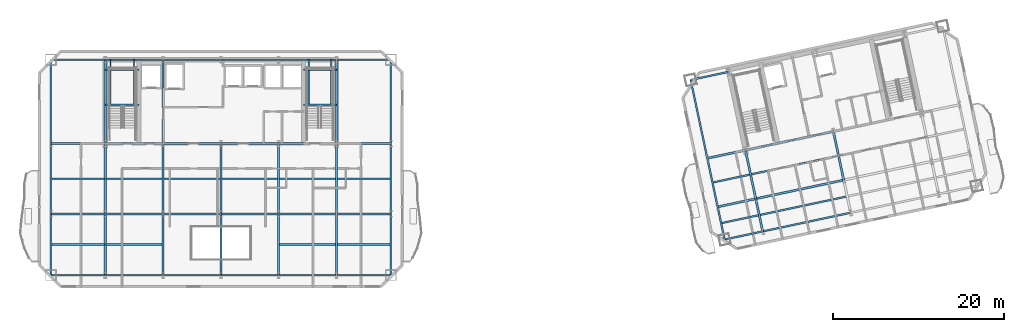
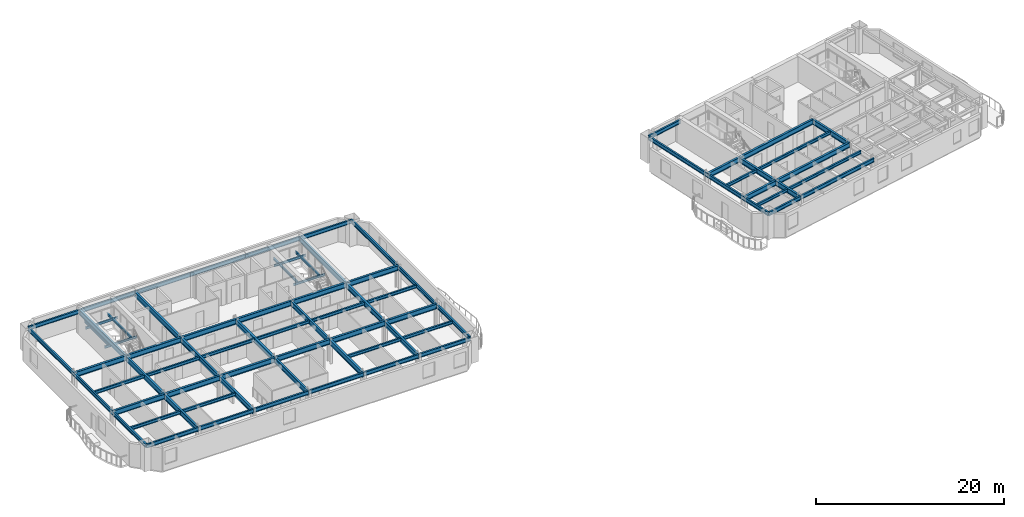
# One storey, part 3 of 13: 78 beams.
"""IFC4 building model written with IfcOpenShell, lengths in metres."""

from ifc_helpers import new_model, si_unit, direction, frame, origin, origin_2d, place, context, subcontext, project, spatial, i_section, extrude, material, material_profile, profile_set, type_object, element, save


model = new_model("IFC4")

# Units and contexts
model_context = context("Model", 3, precision=1e-05, world=origin(), true_north=direction((0.0, 1.0)))
body_context = subcontext(model_context, "Body", "Model", "MODEL_VIEW")
ifc_project = project(units=[si_unit("LENGTHUNIT", "METRE"), si_unit("AREAUNIT", "SQUARE_METRE"), si_unit("VOLUMEUNIT", "CUBIC_METRE"), si_unit("PLANEANGLEUNIT", "RADIAN"), si_unit("MASSUNIT", "GRAM", prefix="KILO")], contexts=[model_context])

# Site, building, storey
site_placement = place(None, origin())
site = spatial("IfcSite", under=ifc_project, at=site_placement, CompositionType="ELEMENT")
building_placement = place(site_placement, origin())
building = spatial("IfcBuilding", under=site, at=building_placement, Name="Haevon Station Towers", CompositionType="ELEMENT")
storey_placement = place(building_placement, frame((0.0, 0.0, 149.39990234375)))
storey = spatial("IfcBuildingStorey", under=building, at=storey_placement, Name="L40", CompositionType="ELEMENT", Elevation=149.39990234375)

# Beams
ifc_material = material(Name="Steel S355", Category="steel")
ifc_material_profile_1 = material_profile(ifc_material, i_section(OverallWidth=0.25, OverallDepth=0.64990234375, WebThickness=0.012939453125, FlangeThickness=0.02197265625, at=origin_2d()), Name="H-650x250x13x22")
ifc_profile_set_1 = profile_set([ifc_material_profile_1], Name="Steel S355")
beam_type_1 = type_object("IfcBeamType", Name="BM-G650", PredefinedType="BEAM", material=ifc_profile_set_1)
beam_1_placement = place(storey_placement, frame((17.64990234375, 30.0, 2.72509765625), z_axis=(1.0, 0.0, 0.0), x_axis=(0.0, 1.0, 0.0)))
element("IfcBeam", 1, at=beam_1_placement, inside=storey, type_object=beam_type_1, Name="BM-T1U-L40-02-01", PredefinedType="BEAM", context=body_context, shape_type="SweptSolid", body=[
    extrude(i_section(OverallWidth=0.25, OverallDepth=0.64990234375, WebThickness=0.012939453125, FlangeThickness=0.02197265625, at=origin_2d()), origin(), (0.0, 0.0, 1.0), 6.35009765625),
])
for number, where, z_axis, x_axis, name in (
    (2, (24.0, 30.0, 2.72509765625), (1.0, 0.0, 0.0), (0.0, 1.0, 0.0), "BM-T1U-L40-02-02"),
    (3, (30.75, 30.0, 2.72509765625), (1.0, 0.0, 0.0), (0.0, 1.0, 0.0), "BM-T1U-L40-02-03"),
    (4, (37.5, 30.0, 2.72509765625), (1.0, 0.0, 0.0), (0.0, 1.0, 0.0), "BM-T1U-L40-02-04"),
    (5, (44.25, 30.0, 2.72509765625), (1.0, 0.0, 0.0), (0.0, 1.0, 0.0), "BM-T1U-L40-02-05"),
):
    element("IfcBeam", number, at=place(storey_placement, frame(where, z_axis=z_axis, x_axis=x_axis)), inside=storey, type_object=beam_type_1, Name=name, PredefinedType="BEAM", context=body_context, shape_type="SweptSolid", body=[
        extrude(i_section(OverallWidth=0.25, OverallDepth=0.64990234375, WebThickness=0.012939453125, FlangeThickness=0.02197265625, at=origin_2d()), origin(), (0.0, 0.0, 1.0), 6.75),
    ])
for number, where, z_axis, x_axis, name in (
    (6, (51.0, 30.0, 2.72509765625), (1.0, 0.0, 0.0), (0.0, 1.0, 0.0), "BM-T1U-L40-02-06"),
    (7, (17.64990234375, 38.199951171875, 2.72509765625), (1.0, 0.0, 0.0), (0.0, 1.0, 0.0), "BM-T1U-L40-03-01"),
):
    element("IfcBeam", number, at=place(storey_placement, frame(where, z_axis=z_axis, x_axis=x_axis)), inside=storey, type_object=beam_type_1, Name=name, PredefinedType="BEAM", context=body_context, shape_type="SweptSolid", body=[
        extrude(i_section(OverallWidth=0.25, OverallDepth=0.64990234375, WebThickness=0.012939453125, FlangeThickness=0.02197265625, at=origin_2d()), origin(), (0.0, 0.0, 1.0), 6.35009765625),
    ])
for number, where, z_axis, x_axis, name in (
    (8, (24.0, 38.199951171875, 2.72509765625), (1.0, 0.0, 0.0), (0.0, 1.0, 0.0), "BM-T1U-L40-03-02"),
    (9, (30.75, 38.199951171875, 2.72509765625), (1.0, 0.0, 0.0), (0.0, 1.0, 0.0), "BM-T1U-L40-03-03"),
    (10, (37.5, 38.199951171875, 2.72509765625), (1.0, 0.0, 0.0), (0.0, 1.0, 0.0), "BM-T1U-L40-03-04"),
    (11, (44.25, 38.199951171875, 2.72509765625), (1.0, 0.0, 0.0), (0.0, 1.0, 0.0), "BM-T1U-L40-03-05"),
):
    element("IfcBeam", number, at=place(storey_placement, frame(where, z_axis=z_axis, x_axis=x_axis)), inside=storey, type_object=beam_type_1, Name=name, PredefinedType="BEAM", context=body_context, shape_type="SweptSolid", body=[
        extrude(i_section(OverallWidth=0.25, OverallDepth=0.64990234375, WebThickness=0.012939453125, FlangeThickness=0.02197265625, at=origin_2d()), origin(), (0.0, 0.0, 1.0), 6.75),
    ])
beam_2_placement = place(storey_placement, frame((51.0, 38.199951171875, 2.72509765625), z_axis=(1.0, 0.0, 0.0), x_axis=(0.0, 1.0, 0.0)))
element("IfcBeam", 12, at=beam_2_placement, inside=storey, type_object=beam_type_1, Name="BM-T1U-L40-03-06", PredefinedType="BEAM", context=body_context, shape_type="SweptSolid", body=[
    extrude(i_section(OverallWidth=0.25, OverallDepth=0.64990234375, WebThickness=0.012939453125, FlangeThickness=0.02197265625, at=origin_2d()), origin(), (0.0, 0.0, 1.0), 6.35009765625),
])
beam_3_placement = place(storey_placement, frame((24.0, 22.85009765625, 2.72509765625), z_axis=(0.0, 1.0, 0.0), x_axis=(-1.0, 0.0, 0.0)))
element("IfcBeam", 13, at=beam_3_placement, inside=storey, type_object=beam_type_1, Name="BM-T1V-L40-02-01", PredefinedType="BEAM", context=body_context, shape_type="SweptSolid", body=[
    extrude(i_section(OverallWidth=0.25, OverallDepth=0.64990234375, WebThickness=0.012939453125, FlangeThickness=0.02197265625, at=origin_2d()), origin(), (0.0, 0.0, 1.0), 7.14990234375),
])
beam_4_placement = place(storey_placement, frame((24.0, 30.0, 2.72509765625), z_axis=(0.0, 1.0, 0.0), x_axis=(-1.0, 0.0, 0.0)))
element("IfcBeam", 14, at=beam_4_placement, inside=storey, type_object=beam_type_1, Name="BM-T1V-L40-02-02", PredefinedType="BEAM", context=body_context, shape_type="SweptSolid", body=[
    extrude(i_section(OverallWidth=0.25, OverallDepth=0.64990234375, WebThickness=0.012939453125, FlangeThickness=0.02197265625, at=origin_2d()), origin(), (0.0, 0.0, 1.0), 8.199951171875),
])
beam_5_placement = place(storey_placement, frame((24.0, 38.199951171875, 2.72509765625), z_axis=(0.0, 1.0, 0.0), x_axis=(-1.0, 0.0, 0.0)))
element("IfcBeam", 15, at=beam_5_placement, inside=storey, type_object=beam_type_1, Name="BM-T1V-L40-02-03", PredefinedType="BEAM", context=body_context, shape_type="SweptSolid", body=[
    extrude(i_section(OverallWidth=0.25, OverallDepth=0.64990234375, WebThickness=0.012939453125, FlangeThickness=0.02197265625, at=origin_2d()), origin(), (0.0, 0.0, 1.0), 9.800048828125),
])
beam_6_placement = place(storey_placement, frame((30.75, 22.85009765625, 2.72509765625), z_axis=(0.0, 1.0, 0.0), x_axis=(-1.0, 0.0, 0.0)))
element("IfcBeam", 16, at=beam_6_placement, inside=storey, type_object=beam_type_1, Name="BM-T1V-L40-03-01", PredefinedType="BEAM", context=body_context, shape_type="SweptSolid", body=[
    extrude(i_section(OverallWidth=0.25, OverallDepth=0.64990234375, WebThickness=0.012939453125, FlangeThickness=0.02197265625, at=origin_2d()), origin(), (0.0, 0.0, 1.0), 7.14990234375),
])
beam_7_placement = place(storey_placement, frame((30.75, 30.0, 2.72509765625), z_axis=(0.0, 1.0, 0.0), x_axis=(-1.0, 0.0, 0.0)))
element("IfcBeam", 17, at=beam_7_placement, inside=storey, type_object=beam_type_1, Name="BM-T1V-L40-03-02", PredefinedType="BEAM", context=body_context, shape_type="SweptSolid", body=[
    extrude(i_section(OverallWidth=0.25, OverallDepth=0.64990234375, WebThickness=0.012939453125, FlangeThickness=0.02197265625, at=origin_2d()), origin(), (0.0, 0.0, 1.0), 8.199951171875),
])
beam_8_placement = place(storey_placement, frame((30.75, 38.199951171875, 2.72509765625), z_axis=(0.0, 1.0, 0.0), x_axis=(-1.0, 0.0, 0.0)))
element("IfcBeam", 18, at=beam_8_placement, inside=storey, type_object=beam_type_1, Name="BM-T1V-L40-03-03", PredefinedType="BEAM", context=body_context, shape_type="SweptSolid", body=[
    extrude(i_section(OverallWidth=0.25, OverallDepth=0.64990234375, WebThickness=0.012939453125, FlangeThickness=0.02197265625, at=origin_2d()), origin(), (0.0, 0.0, 1.0), 9.800048828125),
])
beam_9_placement = place(storey_placement, frame((37.5, 22.85009765625, 2.72509765625), z_axis=(0.0, 1.0, 0.0), x_axis=(-1.0, 0.0, 0.0)))
element("IfcBeam", 19, at=beam_9_placement, inside=storey, type_object=beam_type_1, Name="BM-T1V-L40-04-01", PredefinedType="BEAM", context=body_context, shape_type="SweptSolid", body=[
    extrude(i_section(OverallWidth=0.25, OverallDepth=0.64990234375, WebThickness=0.012939453125, FlangeThickness=0.02197265625, at=origin_2d()), origin(), (0.0, 0.0, 1.0), 7.14990234375),
])
beam_10_placement = place(storey_placement, frame((37.5, 30.0, 2.72509765625), z_axis=(0.0, 1.0, 0.0), x_axis=(-1.0, 0.0, 0.0)))
element("IfcBeam", 20, at=beam_10_placement, inside=storey, type_object=beam_type_1, Name="BM-T1V-L40-04-02", PredefinedType="BEAM", context=body_context, shape_type="SweptSolid", body=[
    extrude(i_section(OverallWidth=0.25, OverallDepth=0.64990234375, WebThickness=0.012939453125, FlangeThickness=0.02197265625, at=origin_2d()), origin(), (0.0, 0.0, 1.0), 8.199951171875),
])
beam_11_placement = place(storey_placement, frame((44.25, 22.85009765625, 2.72509765625), z_axis=(0.0, 1.0, 0.0), x_axis=(-1.0, 0.0, 0.0)))
element("IfcBeam", 21, at=beam_11_placement, inside=storey, type_object=beam_type_1, Name="BM-T1V-L40-05-01", PredefinedType="BEAM", context=body_context, shape_type="SweptSolid", body=[
    extrude(i_section(OverallWidth=0.25, OverallDepth=0.64990234375, WebThickness=0.012939453125, FlangeThickness=0.02197265625, at=origin_2d()), origin(), (0.0, 0.0, 1.0), 7.14990234375),
])
beam_12_placement = place(storey_placement, frame((44.25, 30.0, 2.72509765625), z_axis=(0.0, 1.0, 0.0), x_axis=(-1.0, 0.0, 0.0)))
element("IfcBeam", 22, at=beam_12_placement, inside=storey, type_object=beam_type_1, Name="BM-T1V-L40-05-02", PredefinedType="BEAM", context=body_context, shape_type="SweptSolid", body=[
    extrude(i_section(OverallWidth=0.25, OverallDepth=0.64990234375, WebThickness=0.012939453125, FlangeThickness=0.02197265625, at=origin_2d()), origin(), (0.0, 0.0, 1.0), 8.199951171875),
])
beam_13_placement = place(storey_placement, frame((51.0, 22.85009765625, 2.72509765625), z_axis=(0.0, 1.0, 0.0), x_axis=(-1.0, 0.0, 0.0)))
element("IfcBeam", 23, at=beam_13_placement, inside=storey, type_object=beam_type_1, Name="BM-T1V-L40-06-01", PredefinedType="BEAM", context=body_context, shape_type="SweptSolid", body=[
    extrude(i_section(OverallWidth=0.25, OverallDepth=0.64990234375, WebThickness=0.012939453125, FlangeThickness=0.02197265625, at=origin_2d()), origin(), (0.0, 0.0, 1.0), 7.14990234375),
])
beam_14_placement = place(storey_placement, frame((51.0, 30.0, 2.72509765625), z_axis=(0.0, 1.0, 0.0), x_axis=(-1.0, 0.0, 0.0)))
element("IfcBeam", 24, at=beam_14_placement, inside=storey, type_object=beam_type_1, Name="BM-T1V-L40-06-02", PredefinedType="BEAM", context=body_context, shape_type="SweptSolid", body=[
    extrude(i_section(OverallWidth=0.25, OverallDepth=0.64990234375, WebThickness=0.012939453125, FlangeThickness=0.02197265625, at=origin_2d()), origin(), (0.0, 0.0, 1.0), 8.199951171875),
])
beam_15_placement = place(storey_placement, frame((51.0, 38.199951171875, 2.72509765625), z_axis=(0.0, 1.0, 0.0), x_axis=(-1.0, 0.0, 0.0)))
element("IfcBeam", 25, at=beam_15_placement, inside=storey, type_object=beam_type_1, Name="BM-T1V-L40-06-03", PredefinedType="BEAM", context=body_context, shape_type="SweptSolid", body=[
    extrude(i_section(OverallWidth=0.25, OverallDepth=0.64990234375, WebThickness=0.012939453125, FlangeThickness=0.02197265625, at=origin_2d()), origin(), (0.0, 0.0, 1.0), 9.800048828125),
])
beam_16_placement = place(storey_placement, frame((95.507568359375, 30.8232421875, 2.72509765625), z_axis=(0.978157487225, 0.207865173094, 0.0), x_axis=(-0.207865173094, 0.978157487225, 0.0)))
element("IfcBeam", 26, at=beam_16_placement, inside=storey, type_object=beam_type_1, Name="BM-T2U-L40-02-01", PredefinedType="BEAM", context=body_context, shape_type="SweptSolid", body=[
    extrude(i_section(OverallWidth=0.25, OverallDepth=0.64990234375, WebThickness=0.012939453125, FlangeThickness=0.02197265625, at=origin_2d()), origin(), (0.0, 0.0, 1.0), 4.550048828125),
])
beam_17_placement = place(storey_placement, frame((99.958251953125, 31.76904296875, 2.72509765625), z_axis=(0.978146794194, 0.207915485254, 0.0), x_axis=(-0.207915485254, 0.978146794194, 0.0)))
element("IfcBeam", 27, at=beam_17_placement, inside=storey, type_object=beam_type_1, Name="BM-T2U-L40-02-02", PredefinedType="BEAM", context=body_context, shape_type="SweptSolid", body=[
    extrude(i_section(OverallWidth=0.25, OverallDepth=0.64990234375, WebThickness=0.012939453125, FlangeThickness=0.02197265625, at=origin_2d()), origin(), (0.0, 0.0, 1.0), 10.5),
])
beam_18_placement = place(storey_placement, frame((94.3017578125, 36.496337890625, 2.72509765625), z_axis=(0.978146576304, 0.207916510322, 0.0), x_axis=(-0.207916510322, 0.978146576304, 0.0)))
element("IfcBeam", 28, at=beam_18_placement, inside=storey, type_object=beam_type_1, Name="BM-T2U-L40-03-01", PredefinedType="BEAM", context=body_context, shape_type="SweptSolid", body=[
    extrude(i_section(OverallWidth=0.25, OverallDepth=0.64990234375, WebThickness=0.012939453125, FlangeThickness=0.02197265625, at=origin_2d()), origin(), (0.0, 0.0, 1.0), 4.550048828125),
])
beam_19_placement = place(storey_placement, frame((98.75244140625, 37.4423828125, 2.72509765625), z_axis=(0.978146794194, 0.207915485254, 0.0), x_axis=(-0.207915485254, 0.978146794194, 0.0)))
element("IfcBeam", 29, at=beam_19_placement, inside=storey, type_object=beam_type_1, Name="BM-T2U-L40-03-02", PredefinedType="BEAM", context=body_context, shape_type="SweptSolid", body=[
    extrude(i_section(OverallWidth=0.25, OverallDepth=0.64990234375, WebThickness=0.012939453125, FlangeThickness=0.02197265625, at=origin_2d()), origin(), (0.0, 0.0, 1.0), 10.5),
])
beam_20_placement = place(storey_placement, frame((100.76904296875, 27.954345703125, 2.72509765625), z_axis=(-0.207899934746, 0.97815009949, 0.0), x_axis=(-0.97815009949, -0.207899934746, 0.0)))
element("IfcBeam", 30, at=beam_20_placement, inside=storey, type_object=beam_type_1, Name="BM-T2V-L40-02-01", PredefinedType="BEAM", context=body_context, shape_type="SweptSolid", body=[
    extrude(i_section(OverallWidth=0.25, OverallDepth=0.64990234375, WebThickness=0.012939453125, FlangeThickness=0.02197265625, at=origin_2d()), origin(), (0.0, 0.0, 1.0), 3.89990234375),
])
for number, where, z_axis, x_axis, name in (
    (31, (99.958251953125, 31.76904296875, 2.72509765625), (-0.207896009217, 0.97815093383, 0.0), (-0.97815093383, -0.207896009217, 0.0), "BM-T2V-L40-02-02"),
    (32, (110.228759765625, 33.9521484375, 2.72509765625), (-0.207896009217, 0.97815093383, 0.0), (-0.97815093383, -0.207896009217, 0.0), "BM-T2V-L40-03-02"),
):
    element("IfcBeam", number, at=place(storey_placement, frame(where, z_axis=z_axis, x_axis=x_axis)), inside=storey, type_object=beam_type_1, Name=name, PredefinedType="BEAM", context=body_context, shape_type="SweptSolid", body=[
        extrude(i_section(OverallWidth=0.25, OverallDepth=0.64990234375, WebThickness=0.012939453125, FlangeThickness=0.02197265625, at=origin_2d()), origin(), (0.0, 0.0, 1.0), 5.800048828125),
    ])
ifc_material_profile_2 = material_profile(ifc_material, i_section(OverallWidth=0.199951171875, OverallDepth=0.39990234375, WebThickness=0.008056640625, FlangeThickness=0.012939453125, at=origin_2d()), Name="H-400x200x8x13")
ifc_profile_set_2 = profile_set([ifc_material_profile_2], Name="Steel S355")
beam_type_2 = type_object("IfcBeamType", Name="BM-J400", PredefinedType="JOIST", material=ifc_profile_set_2)
beam_21_placement = place(storey_placement, frame((17.760009765625, 26.425048828125, 2.85009765625), z_axis=(1.0, 0.0, 0.0), x_axis=(0.0, 1.0, 0.0)))
element("IfcBeam", 33, at=beam_21_placement, inside=storey, type_object=beam_type_2, Name="BM-T1J-L40-01-01", PredefinedType="JOIST", context=body_context, shape_type="SweptSolid", body=[
    extrude(i_section(OverallWidth=0.199951171875, OverallDepth=0.39990234375, WebThickness=0.008056640625, FlangeThickness=0.012939453125, at=origin_2d()), origin(), (0.0, 0.0, 1.0), 6.1298828125),
])
for number, where, z_axis, x_axis, name in (
    (34, (24.110107421875, 26.425048828125, 2.85009765625), (1.0, 0.0, 0.0), (0.0, 1.0, 0.0), "BM-T1J-L40-01-02"),
    (35, (44.360107421875, 26.425048828125, 2.85009765625), (1.0, 0.0, 0.0), (0.0, 1.0, 0.0), "BM-T1J-L40-01-05"),
):
    element("IfcBeam", number, at=place(storey_placement, frame(where, z_axis=z_axis, x_axis=x_axis)), inside=storey, type_object=beam_type_2, Name=name, PredefinedType="JOIST", context=body_context, shape_type="SweptSolid", body=[
        extrude(i_section(OverallWidth=0.199951171875, OverallDepth=0.39990234375, WebThickness=0.008056640625, FlangeThickness=0.012939453125, at=origin_2d()), origin(), (0.0, 0.0, 1.0), 6.52978515625),
    ])
for number, where, z_axis, x_axis, name in (
    (36, (51.110107421875, 26.425048828125, 2.85009765625), (1.0, 0.0, 0.0), (0.0, 1.0, 0.0), "BM-T1J-L40-01-06"),
    (37, (17.760009765625, 34.10009765625, 2.85009765625), (1.0, 0.0, 0.0), (0.0, 1.0, 0.0), "BM-T1J-L40-02-01"),
):
    element("IfcBeam", number, at=place(storey_placement, frame(where, z_axis=z_axis, x_axis=x_axis)), inside=storey, type_object=beam_type_2, Name=name, PredefinedType="JOIST", context=body_context, shape_type="SweptSolid", body=[
        extrude(i_section(OverallWidth=0.199951171875, OverallDepth=0.39990234375, WebThickness=0.008056640625, FlangeThickness=0.012939453125, at=origin_2d()), origin(), (0.0, 0.0, 1.0), 6.1298828125),
    ])
for number, where, z_axis, x_axis, name in (
    (38, (24.110107421875, 34.10009765625, 2.85009765625), (1.0, 0.0, 0.0), (0.0, 1.0, 0.0), "BM-T1J-L40-02-02"),
    (39, (30.860107421875, 34.10009765625, 2.85009765625), (1.0, 0.0, 0.0), (0.0, 1.0, 0.0), "BM-T1J-L40-02-03"),
    (40, (37.610107421875, 34.10009765625, 2.85009765625), (1.0, 0.0, 0.0), (0.0, 1.0, 0.0), "BM-T1J-L40-02-04"),
    (41, (44.360107421875, 34.10009765625, 2.85009765625), (1.0, 0.0, 0.0), (0.0, 1.0, 0.0), "BM-T1J-L40-02-05"),
):
    element("IfcBeam", number, at=place(storey_placement, frame(where, z_axis=z_axis, x_axis=x_axis)), inside=storey, type_object=beam_type_2, Name=name, PredefinedType="JOIST", context=body_context, shape_type="SweptSolid", body=[
        extrude(i_section(OverallWidth=0.199951171875, OverallDepth=0.39990234375, WebThickness=0.008056640625, FlangeThickness=0.012939453125, at=origin_2d()), origin(), (0.0, 0.0, 1.0), 6.52978515625),
    ])
beam_22_placement = place(storey_placement, frame((51.110107421875, 34.10009765625, 2.85009765625), z_axis=(1.0, 0.0, 0.0), x_axis=(0.0, 1.0, 0.0)))
element("IfcBeam", 42, at=beam_22_placement, inside=storey, type_object=beam_type_2, Name="BM-T1J-L40-02-06", PredefinedType="JOIST", context=body_context, shape_type="SweptSolid", body=[
    extrude(i_section(OverallWidth=0.199951171875, OverallDepth=0.39990234375, WebThickness=0.008056640625, FlangeThickness=0.012939453125, at=origin_2d()), origin(), (0.0, 0.0, 1.0), 6.1298828125),
])
beam_23_placement = place(storey_placement, frame((96.020751953125, 28.938720703125, 2.85009765625), z_axis=(0.978152545287, 0.207888427166, 0.0), x_axis=(-0.207888427166, 0.978152545287, 0.0)))
element("IfcBeam", 43, at=beam_23_placement, inside=storey, type_object=beam_type_2, Name="BM-T2J-L40-01-01", PredefinedType="JOIST", context=body_context, shape_type="SweptSolid", body=[
    extrude(i_section(OverallWidth=0.199951171875, OverallDepth=0.39990234375, WebThickness=0.008056640625, FlangeThickness=0.012939453125, at=origin_2d()), origin(), (0.0, 0.0, 1.0), 4.329833984375),
])
beam_24_placement = place(storey_placement, frame((100.47119140625, 29.884521484375, 2.85009765625), z_axis=(0.978145509903, 0.207921527161, 0.0), x_axis=(-0.207921527161, 0.978145509903, 0.0)))
element("IfcBeam", 44, at=beam_24_placement, inside=storey, type_object=beam_type_2, Name="BM-T2J-L40-01-02", PredefinedType="JOIST", context=body_context, shape_type="SweptSolid", body=[
    extrude(i_section(OverallWidth=0.199951171875, OverallDepth=0.39990234375, WebThickness=0.008056640625, FlangeThickness=0.012939453125, at=origin_2d()), origin(), (0.0, 0.0, 1.0), 10.280029296875),
])
beam_25_placement = place(storey_placement, frame((95.01220703125, 33.6826171875, 2.85009765625), z_axis=(0.978143516228, 0.20793090598, 0.0), x_axis=(-0.20793090598, 0.978143516228, 0.0)))
element("IfcBeam", 45, at=beam_25_placement, inside=storey, type_object=beam_type_2, Name="BM-T2J-L40-02-01", PredefinedType="JOIST", context=body_context, shape_type="SweptSolid", body=[
    extrude(i_section(OverallWidth=0.199951171875, OverallDepth=0.39990234375, WebThickness=0.008056640625, FlangeThickness=0.012939453125, at=origin_2d()), origin(), (0.0, 0.0, 1.0), 4.330322265625),
])
beam_26_placement = place(storey_placement, frame((99.462890625, 34.628662109375, 2.85009765625), z_axis=(0.978150339653, 0.207898804801, 0.0), x_axis=(-0.207898804801, 0.978150339653, 0.0)))
element("IfcBeam", 46, at=beam_26_placement, inside=storey, type_object=beam_type_2, Name="BM-T2J-L40-02-02", PredefinedType="JOIST", context=body_context, shape_type="SweptSolid", body=[
    extrude(i_section(OverallWidth=0.199951171875, OverallDepth=0.39990234375, WebThickness=0.008056640625, FlangeThickness=0.012939453125, at=origin_2d()), origin(), (0.0, 0.0, 1.0), 10.280029296875),
])
ifc_material_profile_3 = material_profile(ifc_material, i_section(OverallWidth=0.14990234375, OverallDepth=0.300048828125, WebThickness=0.006591796875, FlangeThickness=0.009033203125, at=origin_2d()), Name="H-300x150x6.5x9")
ifc_profile_set_3 = profile_set([ifc_material_profile_3], Name="Steel S355")
beam_type_3 = type_object("IfcBeamType", Name="BM-LIN300", PredefinedType="LINTEL", material=ifc_profile_set_3)
for number, where, z_axis, x_axis, name in (
    (47, (24.0, 42.743896484375, 1.300048828125), (1.0, 0.0, 0.0), (0.0, 1.0, 0.0), "BM-ST1L-L40-1-S"),
    (48, (24.0, 46.820068359375, 1.300048828125), (1.0, 0.0, 0.0), (0.0, 1.0, 0.0), "BM-ST1L-L40-1-N"),
):
    element("IfcBeam", number, at=place(storey_placement, frame(where, z_axis=z_axis, x_axis=x_axis)), inside=storey, type_object=beam_type_3, Name=name, PredefinedType="LINTEL", context=body_context, shape_type="SweptSolid", body=[
        extrude(i_section(OverallWidth=0.14990234375, OverallDepth=0.300048828125, WebThickness=0.006591796875, FlangeThickness=0.009033203125, at=origin_2d()), origin(), (0.0, 0.0, 1.0), 3.949951171875),
    ])
for number, where, z_axis, x_axis, name in (
    (49, (24.60009765625, 42.743896484375, 1.300048828125), (0.0, 1.0, 0.0), (-1.0, 0.0, 0.0), "BM-ST1L-L40-1-W"),
    (50, (27.35009765625, 42.743896484375, 1.300048828125), (0.0, 1.0, 0.0), (-1.0, 0.0, 0.0), "BM-ST1L-L40-1-E"),
):
    element("IfcBeam", number, at=place(storey_placement, frame(where, z_axis=z_axis, x_axis=x_axis)), inside=storey, type_object=beam_type_3, Name=name, PredefinedType="LINTEL", context=body_context, shape_type="SweptSolid", body=[
        extrude(i_section(OverallWidth=0.14990234375, OverallDepth=0.300048828125, WebThickness=0.006591796875, FlangeThickness=0.009033203125, at=origin_2d()), origin(), (0.0, 0.0, 1.0), 5.256103515625),
    ])
for number, where, z_axis, x_axis, name in (
    (51, (47.14990234375, 42.743896484375, 1.300048828125), (1.0, 0.0, 0.0), (0.0, 1.0, 0.0), "BM-ST2L-L40-1-S"),
    (52, (47.14990234375, 46.820068359375, 1.300048828125), (1.0, 0.0, 0.0), (0.0, 1.0, 0.0), "BM-ST2L-L40-1-N"),
):
    element("IfcBeam", number, at=place(storey_placement, frame(where, z_axis=z_axis, x_axis=x_axis)), inside=storey, type_object=beam_type_3, Name=name, PredefinedType="LINTEL", context=body_context, shape_type="SweptSolid", body=[
        extrude(i_section(OverallWidth=0.14990234375, OverallDepth=0.300048828125, WebThickness=0.006591796875, FlangeThickness=0.009033203125, at=origin_2d()), origin(), (0.0, 0.0, 1.0), 3.85009765625),
    ])
for number, where, z_axis, x_axis, name in (
    (53, (47.75, 42.743896484375, 1.300048828125), (0.0, 1.0, 0.0), (-1.0, 0.0, 0.0), "BM-ST2L-L40-1-W"),
    (54, (50.39990234375, 42.743896484375, 1.300048828125), (0.0, 1.0, 0.0), (-1.0, 0.0, 0.0), "BM-ST2L-L40-1-E"),
):
    element("IfcBeam", number, at=place(storey_placement, frame(where, z_axis=z_axis, x_axis=x_axis)), inside=storey, type_object=beam_type_3, Name=name, PredefinedType="LINTEL", context=body_context, shape_type="SweptSolid", body=[
        extrude(i_section(OverallWidth=0.14990234375, OverallDepth=0.300048828125, WebThickness=0.006591796875, FlangeThickness=0.009033203125, at=origin_2d()), origin(), (0.0, 0.0, 1.0), 5.256103515625),
    ])
ifc_material_profile_4 = material_profile(ifc_material, i_section(OverallWidth=0.199951171875, OverallDepth=0.5, WebThickness=0.010009765625, FlangeThickness=0.01611328125, at=origin_2d()), Name="H-500x200x10x16")
ifc_profile_set_4 = profile_set([ifc_material_profile_4], Name="Steel S355")
beam_type_4 = type_object("IfcBeamType", Name="BM-SP500", PredefinedType="SPANDREL", material=ifc_profile_set_4)
beam_27_placement = place(storey_placement, frame((17.64990234375, 22.85009765625, 2.800048828125), z_axis=(1.0, 0.0, 0.0), x_axis=(0.0, 1.0, 0.0)))
element("IfcBeam", 55, at=beam_27_placement, inside=storey, type_object=beam_type_4, Name="BM-T1U-L40-01-01", PredefinedType="SPANDREL", context=body_context, shape_type="SweptSolid", body=[
    extrude(i_section(OverallWidth=0.199951171875, OverallDepth=0.5, WebThickness=0.010009765625, FlangeThickness=0.01611328125, at=origin_2d()), origin(), (0.0, 0.0, 1.0), 6.35009765625),
])
for number, where, z_axis, x_axis, name in (
    (56, (24.0, 22.85009765625, 2.800048828125), (1.0, 0.0, 0.0), (0.0, 1.0, 0.0), "BM-T1U-L40-01-02"),
    (57, (30.75, 22.85009765625, 2.800048828125), (1.0, 0.0, 0.0), (0.0, 1.0, 0.0), "BM-T1U-L40-01-03"),
    (58, (37.5, 22.85009765625, 2.800048828125), (1.0, 0.0, 0.0), (0.0, 1.0, 0.0), "BM-T1U-L40-01-04"),
    (59, (44.25, 22.85009765625, 2.800048828125), (1.0, 0.0, 0.0), (0.0, 1.0, 0.0), "BM-T1U-L40-01-05"),
):
    element("IfcBeam", number, at=place(storey_placement, frame(where, z_axis=z_axis, x_axis=x_axis)), inside=storey, type_object=beam_type_4, Name=name, PredefinedType="SPANDREL", context=body_context, shape_type="SweptSolid", body=[
        extrude(i_section(OverallWidth=0.199951171875, OverallDepth=0.5, WebThickness=0.010009765625, FlangeThickness=0.01611328125, at=origin_2d()), origin(), (0.0, 0.0, 1.0), 6.75),
    ])
for number, where, z_axis, x_axis, name in (
    (60, (51.0, 22.85009765625, 2.800048828125), (1.0, 0.0, 0.0), (0.0, 1.0, 0.0), "BM-T1U-L40-01-06"),
    (61, (17.64990234375, 48.0, 2.800048828125), (1.0, 0.0, 0.0), (0.0, 1.0, 0.0), "BM-T1U-L40-04-01"),
):
    element("IfcBeam", number, at=place(storey_placement, frame(where, z_axis=z_axis, x_axis=x_axis)), inside=storey, type_object=beam_type_4, Name=name, PredefinedType="SPANDREL", context=body_context, shape_type="SweptSolid", body=[
        extrude(i_section(OverallWidth=0.199951171875, OverallDepth=0.5, WebThickness=0.010009765625, FlangeThickness=0.01611328125, at=origin_2d()), origin(), (0.0, 0.0, 1.0), 6.35009765625),
    ])
for number, where, z_axis, x_axis, name in (
    (62, (24.0, 48.0, 2.800048828125), (1.0, 0.0, 0.0), (0.0, 1.0, 0.0), "BM-T1U-L40-04-02"),
    (63, (30.75, 48.0, 2.800048828125), (1.0, 0.0, 0.0), (0.0, 1.0, 0.0), "BM-T1U-L40-04-03"),
    (64, (37.5, 48.0, 2.800048828125), (1.0, 0.0, 0.0), (0.0, 1.0, 0.0), "BM-T1U-L40-04-04"),
    (65, (44.25, 48.0, 2.800048828125), (1.0, 0.0, 0.0), (0.0, 1.0, 0.0), "BM-T1U-L40-04-05"),
):
    element("IfcBeam", number, at=place(storey_placement, frame(where, z_axis=z_axis, x_axis=x_axis)), inside=storey, type_object=beam_type_4, Name=name, PredefinedType="SPANDREL", context=body_context, shape_type="SweptSolid", body=[
        extrude(i_section(OverallWidth=0.199951171875, OverallDepth=0.5, WebThickness=0.010009765625, FlangeThickness=0.01611328125, at=origin_2d()), origin(), (0.0, 0.0, 1.0), 6.75),
    ])
beam_28_placement = place(storey_placement, frame((51.0, 48.0, 2.800048828125), z_axis=(1.0, 0.0, 0.0), x_axis=(0.0, 1.0, 0.0)))
element("IfcBeam", 66, at=beam_28_placement, inside=storey, type_object=beam_type_4, Name="BM-T1U-L40-04-06", PredefinedType="SPANDREL", context=body_context, shape_type="SweptSolid", body=[
    extrude(i_section(OverallWidth=0.199951171875, OverallDepth=0.5, WebThickness=0.010009765625, FlangeThickness=0.01611328125, at=origin_2d()), origin(), (0.0, 0.0, 1.0), 6.35009765625),
])
beam_29_placement = place(storey_placement, frame((17.64990234375, 22.85009765625, 2.800048828125), z_axis=(0.0, 1.0, 0.0), x_axis=(-1.0, 0.0, 0.0)))
element("IfcBeam", 67, at=beam_29_placement, inside=storey, type_object=beam_type_4, Name="BM-T1V-L40-01-01", PredefinedType="SPANDREL", context=body_context, shape_type="SweptSolid", body=[
    extrude(i_section(OverallWidth=0.199951171875, OverallDepth=0.5, WebThickness=0.010009765625, FlangeThickness=0.01611328125, at=origin_2d()), origin(), (0.0, 0.0, 1.0), 7.14990234375),
])
beam_30_placement = place(storey_placement, frame((17.64990234375, 30.0, 2.800048828125), z_axis=(0.0, 1.0, 0.0), x_axis=(-1.0, 0.0, 0.0)))
element("IfcBeam", 68, at=beam_30_placement, inside=storey, type_object=beam_type_4, Name="BM-T1V-L40-01-02", PredefinedType="SPANDREL", context=body_context, shape_type="SweptSolid", body=[
    extrude(i_section(OverallWidth=0.199951171875, OverallDepth=0.5, WebThickness=0.010009765625, FlangeThickness=0.01611328125, at=origin_2d()), origin(), (0.0, 0.0, 1.0), 8.199951171875),
])
beam_31_placement = place(storey_placement, frame((17.64990234375, 38.199951171875, 2.800048828125), z_axis=(0.0, 1.0, 0.0), x_axis=(-1.0, 0.0, 0.0)))
element("IfcBeam", 69, at=beam_31_placement, inside=storey, type_object=beam_type_4, Name="BM-T1V-L40-01-03", PredefinedType="SPANDREL", context=body_context, shape_type="SweptSolid", body=[
    extrude(i_section(OverallWidth=0.199951171875, OverallDepth=0.5, WebThickness=0.010009765625, FlangeThickness=0.01611328125, at=origin_2d()), origin(), (0.0, 0.0, 1.0), 9.800048828125),
])
beam_32_placement = place(storey_placement, frame((57.35009765625, 22.85009765625, 2.800048828125), z_axis=(0.0, 1.0, 0.0), x_axis=(-1.0, 0.0, 0.0)))
element("IfcBeam", 70, at=beam_32_placement, inside=storey, type_object=beam_type_4, Name="BM-T1V-L40-07-01", PredefinedType="SPANDREL", context=body_context, shape_type="SweptSolid", body=[
    extrude(i_section(OverallWidth=0.199951171875, OverallDepth=0.5, WebThickness=0.010009765625, FlangeThickness=0.01611328125, at=origin_2d()), origin(), (0.0, 0.0, 1.0), 7.14990234375),
])
beam_33_placement = place(storey_placement, frame((57.35009765625, 30.0, 2.800048828125), z_axis=(0.0, 1.0, 0.0), x_axis=(-1.0, 0.0, 0.0)))
element("IfcBeam", 71, at=beam_33_placement, inside=storey, type_object=beam_type_4, Name="BM-T1V-L40-07-02", PredefinedType="SPANDREL", context=body_context, shape_type="SweptSolid", body=[
    extrude(i_section(OverallWidth=0.199951171875, OverallDepth=0.5, WebThickness=0.010009765625, FlangeThickness=0.01611328125, at=origin_2d()), origin(), (0.0, 0.0, 1.0), 8.199951171875),
])
beam_34_placement = place(storey_placement, frame((57.35009765625, 38.199951171875, 2.800048828125), z_axis=(0.0, 1.0, 0.0), x_axis=(-1.0, 0.0, 0.0)))
element("IfcBeam", 72, at=beam_34_placement, inside=storey, type_object=beam_type_4, Name="BM-T1V-L40-07-03", PredefinedType="SPANDREL", context=body_context, shape_type="SweptSolid", body=[
    extrude(i_section(OverallWidth=0.199951171875, OverallDepth=0.5, WebThickness=0.010009765625, FlangeThickness=0.01611328125, at=origin_2d()), origin(), (0.0, 0.0, 1.0), 9.800048828125),
])
beam_35_placement = place(storey_placement, frame((96.318603515625, 27.00830078125, 2.800048828125), z_axis=(0.978144256617, 0.207927423029, 0.0), x_axis=(-0.207927423029, 0.978144256617, 0.0)))
element("IfcBeam", 73, at=beam_35_placement, inside=storey, type_object=beam_type_4, Name="BM-T2U-L40-01-01", PredefinedType="SPANDREL", context=body_context, shape_type="SweptSolid", body=[
    extrude(i_section(OverallWidth=0.199951171875, OverallDepth=0.5, WebThickness=0.010009765625, FlangeThickness=0.01611328125, at=origin_2d()), origin(), (0.0, 0.0, 1.0), 4.5498046875),
])
beam_36_placement = place(storey_placement, frame((100.76904296875, 27.954345703125, 2.800048828125), z_axis=(0.978146794194, 0.207915485254, 0.0), x_axis=(-0.207915485254, 0.978146794194, 0.0)))
element("IfcBeam", 74, at=beam_36_placement, inside=storey, type_object=beam_type_4, Name="BM-T2U-L40-01-02", PredefinedType="SPANDREL", context=body_context, shape_type="SweptSolid", body=[
    extrude(i_section(OverallWidth=0.199951171875, OverallDepth=0.5, WebThickness=0.010009765625, FlangeThickness=0.01611328125, at=origin_2d()), origin(), (0.0, 0.0, 1.0), 10.5),
])
beam_37_placement = place(storey_placement, frame((92.35791015625, 45.64208984375, 2.800048828125), z_axis=(0.978144256617, 0.207927423029, 0.0), x_axis=(-0.207927423029, 0.978144256617, 0.0)))
element("IfcBeam", 75, at=beam_37_placement, inside=storey, type_object=beam_type_4, Name="BM-T2U-L40-04-01", PredefinedType="SPANDREL", context=body_context, shape_type="SweptSolid", body=[
    extrude(i_section(OverallWidth=0.199951171875, OverallDepth=0.5, WebThickness=0.010009765625, FlangeThickness=0.01611328125, at=origin_2d()), origin(), (0.0, 0.0, 1.0), 4.5498046875),
])
beam_38_placement = place(storey_placement, frame((96.318603515625, 27.00830078125, 2.800048828125), z_axis=(-0.207947096322, 0.978140074392, 0.0), x_axis=(-0.978140074392, -0.207947096322, 0.0)))
element("IfcBeam", 76, at=beam_38_placement, inside=storey, type_object=beam_type_4, Name="BM-T2V-L40-01-01", PredefinedType="SPANDREL", context=body_context, shape_type="SweptSolid", body=[
    extrude(i_section(OverallWidth=0.199951171875, OverallDepth=0.5, WebThickness=0.010009765625, FlangeThickness=0.01611328125, at=origin_2d()), origin(), (0.0, 0.0, 1.0), 3.900146484375),
])
beam_39_placement = place(storey_placement, frame((95.507568359375, 30.8232421875, 2.800048828125), z_axis=(-0.207904569273, 0.978149114438, 0.0), x_axis=(-0.978149114438, -0.207904569273, 0.0)))
element("IfcBeam", 77, at=beam_39_placement, inside=storey, type_object=beam_type_4, Name="BM-T2V-L40-01-02", PredefinedType="SPANDREL", context=body_context, shape_type="SweptSolid", body=[
    extrude(i_section(OverallWidth=0.199951171875, OverallDepth=0.5, WebThickness=0.010009765625, FlangeThickness=0.01611328125, at=origin_2d()), origin(), (0.0, 0.0, 1.0), 5.7998046875),
])
beam_40_placement = place(storey_placement, frame((94.3017578125, 36.496337890625, 2.800048828125), z_axis=(-0.207897167074, 0.978150687738, 0.0), x_axis=(-0.978150687738, -0.207897167074, 0.0)))
element("IfcBeam", 78, at=beam_40_placement, inside=storey, type_object=beam_type_4, Name="BM-T2V-L40-01-03", PredefinedType="SPANDREL", context=body_context, shape_type="SweptSolid", body=[
    extrude(i_section(OverallWidth=0.199951171875, OverallDepth=0.5, WebThickness=0.010009765625, FlangeThickness=0.01611328125, at=origin_2d()), origin(), (0.0, 0.0, 1.0), 9.35009765625),
])

save(model, "model.ifc")
